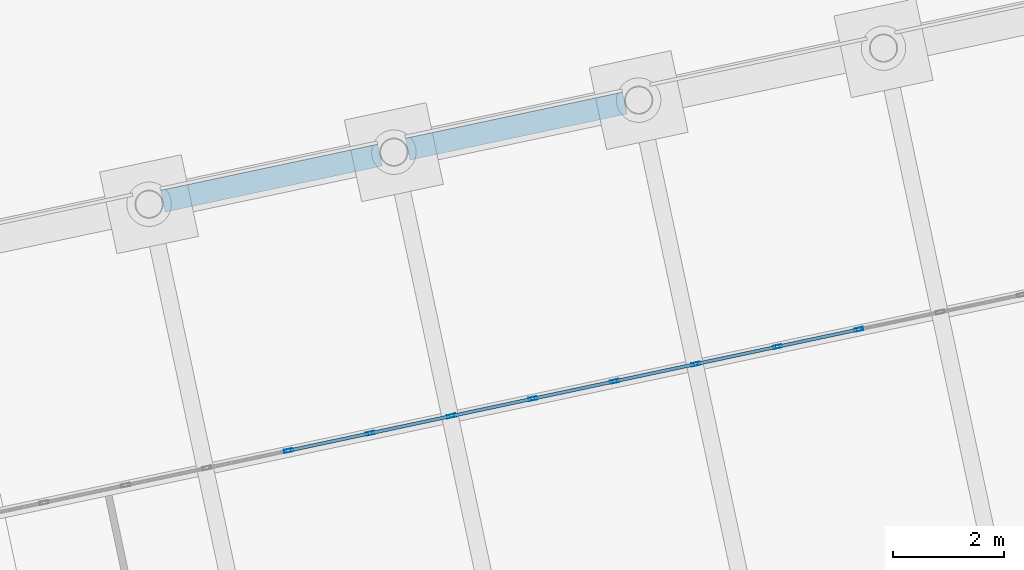
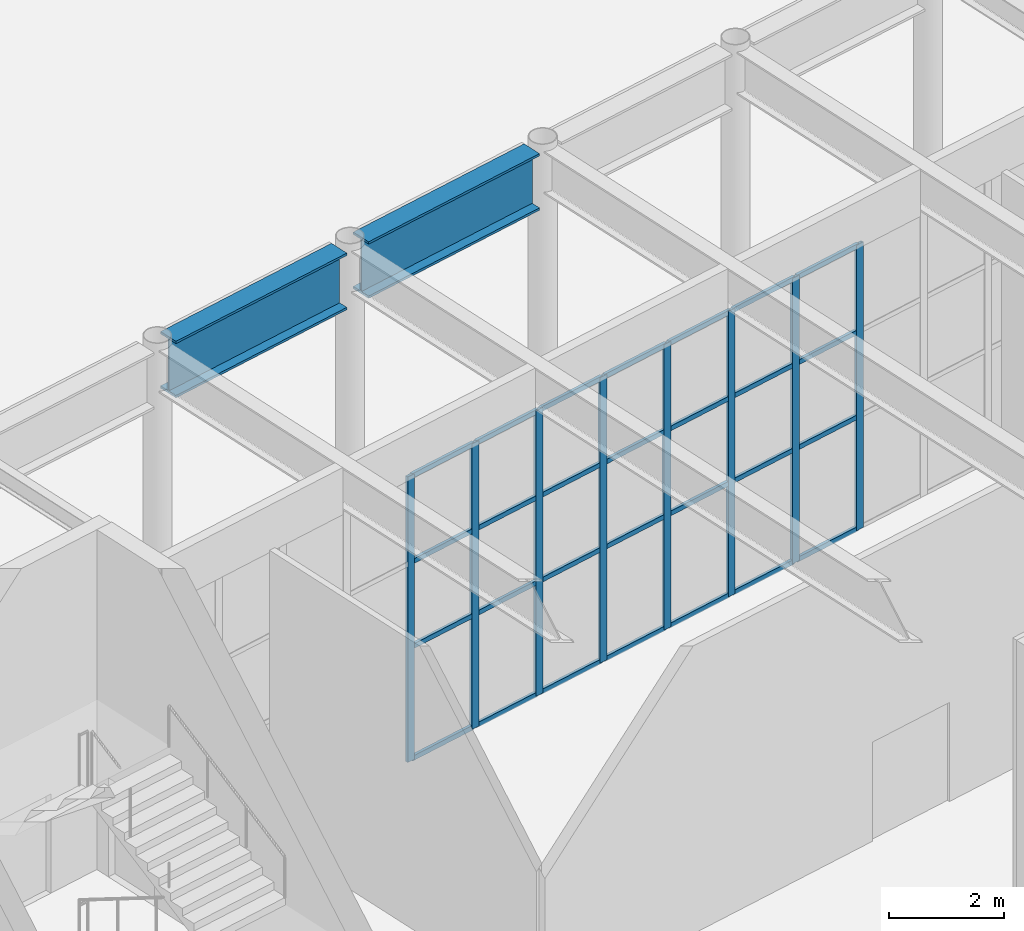
# One storey, part 73 of 239: 36 members, 2 beams, 1 element without a shape of its own.
"""IFC4 building model written with IfcOpenShell, lengths in metres."""

import ifcopenshell
import ifcopenshell.guid

model = None  # the IFC model being written
_history = None  # IfcOwnerHistory: only IFC2X3 demands one
_inside = {}  # id of a spatial element -> (the spatial element, [elements in it])
_under = {}  # id of a project, library or spatial element -> (it, [spatial elements below it])
_declared = {}  # id of a project -> (the project, [libraries it declares])
_typed = {}  # id of a type object -> (the type object, [elements of that type])
_made_of = {}  # id of a material, layer set ... -> (it, [elements and type objects made of it])


def new_model(schema):
    """Start an empty IFC model of exactly this schema.

    Asked for "IFC4X3", IfcOpenShell would pick the latest addendum, in which some entities
    have other attributes; the version numbers below select the first issue.
    IFC2X3 requires an IfcOwnerHistory on every rooted entity: one is made here for all.
    """
    global model, _history
    if schema == "IFC4X3":
        model = ifcopenshell.file(schema_version=(4, 3, 0, 0))
    else:
        model = ifcopenshell.file(schema=schema)
    _inside.clear()
    _under.clear()
    _declared.clear()
    _typed.clear()
    _made_of.clear()
    _history = None
    if model.schema == "IFC2X3":
        org = make("IfcOrganization", Name="unknown")
        user = make(
            "IfcPersonAndOrganization",
            ThePerson=make("IfcPerson", FamilyName="unknown"),
            TheOrganization=org,
        )
        app = make(
            "IfcApplication",
            ApplicationDeveloper=org,
            Version="unknown",
            ApplicationFullName="unknown",
            ApplicationIdentifier="unknown",
        )
        _history = make(
            "IfcOwnerHistory",
            OwningUser=user,
            OwningApplication=app,
            ChangeAction="ADDED",
            CreationDate=0,
        )
    return model


def make(cls, **values):
    """One entity of the class cls with the attributes given. An attribute that is None is left unset."""
    return model.create_entity(
        cls, **{name: value for name, value in values.items() if value is not None}
    )


def rooted(cls, **values):
    """An entity with a GlobalId (a new one), such as an element, a storey or a relation."""
    return make(cls, GlobalId=ifcopenshell.guid.new(), OwnerHistory=_history, **values)


def si_unit(unit_type, name, prefix=None):
    """IfcSIUnit, for example si_unit("LENGTHUNIT", "METRE", prefix="MILLI")."""
    return make("IfcSIUnit", UnitType=unit_type, Prefix=prefix, Name=name)


def assignment(units):
    """IfcUnitAssignment: the units of a project."""
    return None if units is None else make("IfcUnitAssignment", Units=units)


def point(xyz):
    """IfcCartesianPoint."""
    return None if xyz is None else make("IfcCartesianPoint", Coordinates=xyz)


def direction(xyz):
    """IfcDirection."""
    return None if xyz is None else make("IfcDirection", DirectionRatios=xyz)


def frame(location, z_axis=None, x_axis=None):
    """IfcAxis2Placement3D, a coordinate frame: its origin and axes. An axis left out is left unset."""
    return make(
        "IfcAxis2Placement3D",
        Location=point(location),
        Axis=direction(z_axis),
        RefDirection=direction(x_axis),
    )


def frame_2d(location, x_axis=None):
    """IfcAxis2Placement2D, a coordinate frame in the plane: its origin and x axis."""
    return make(
        "IfcAxis2Placement2D", Location=point(location), RefDirection=direction(x_axis)
    )


def origin():
    """The frame at (0, 0, 0) with its axes left unset."""
    return frame((0.0, 0.0, 0.0))


def origin_2d():
    """The frame at (0, 0) in the plane with its x axis left unset."""
    return frame_2d((0.0, 0.0))


def place(relative_to, where):
    """IfcLocalPlacement: puts the frame where relative to a parent placement (None: the world)."""
    return make(
        "IfcLocalPlacement", PlacementRelTo=relative_to, RelativePlacement=where
    )


def context(
    kind, dimensions, precision=None, world=None, true_north=None, identifier=None
):
    """IfcGeometricRepresentationContext, for example the 3D "Model" context."""
    return make(
        "IfcGeometricRepresentationContext",
        ContextIdentifier=identifier,
        ContextType=kind,
        CoordinateSpaceDimension=dimensions,
        Precision=precision,
        WorldCoordinateSystem=world,
        TrueNorth=true_north,
    )


def subcontext(parent, identifier, kind, view, scale=None):
    """IfcGeometricRepresentationSubContext, for example "Body" below "Model"."""
    return make(
        "IfcGeometricRepresentationSubContext",
        ContextIdentifier=identifier,
        ContextType=kind,
        ParentContext=parent,
        TargetScale=scale,
        TargetView=view,
    )


def project(units=None, contexts=None):
    """IfcProject with its units and contexts."""
    return rooted(
        "IfcProject",
        Name="project",
        RepresentationContexts=contexts,
        UnitsInContext=assignment(units),
    )


def spatial(cls, under=None, at=None, **own):
    """A site, building, storey or space (cls), placed at a placement, below another one or the project."""
    s = rooted(cls, ObjectPlacement=at, **own)
    if under is not None:
        _under.setdefault(under.id(), (under, []))[1].append(s)
    return s


def profile(cls, at=None, kind="AREA", **sizes):
    """A parametric profile (cls). Its sizes go by their IFC names, for example OverallWidth=200.0."""
    return make(cls, ProfileType=kind, Position=at, **sizes)


def hollow_rectangle(**sizes):
    """IfcRectangleHollowProfileDef."""
    return profile("IfcRectangleHollowProfileDef", **sizes)


def i_section(**sizes):
    """IfcIShapeProfileDef."""
    return profile("IfcIShapeProfileDef", **sizes)


def extrude(swept, where, along, depth):
    """IfcExtrudedAreaSolid: the profile swept, set in the frame where, extruded along a direction by depth."""
    return make(
        "IfcExtrudedAreaSolid",
        SweptArea=swept,
        Position=where,
        ExtrudedDirection=direction(along),
        Depth=depth,
    )


def shape(context_of_items, identifier, shape_type, items):
    """IfcShapeRepresentation: the items that make up one representation, for example the "Body"."""
    return make(
        "IfcShapeRepresentation",
        ContextOfItems=context_of_items,
        RepresentationIdentifier=identifier,
        RepresentationType=shape_type,
        Items=items,
    )


def material(Name=None, Category=None):
    """IfcMaterial."""
    return make("IfcMaterial", Name=Name, Category=Category)


def material_profile(
    of_material, cross_section, Name=None, Category=None, Priority=None
):
    """IfcMaterialProfile: a cross section and its material."""
    return make(
        "IfcMaterialProfile",
        Name=Name,
        Material=of_material,
        Profile=cross_section,
        Priority=Priority,
        Category=Category,
    )


def profile_set(profiles, Name=None, composite=None):
    """IfcMaterialProfileSet."""
    return make(
        "IfcMaterialProfileSet",
        Name=Name,
        MaterialProfiles=profiles,
        CompositeProfile=composite,
    )


def made_of(thing, what):
    """Note that an element or type object is made of a material, layer set ...; save() writes the relation."""
    if what is not None:
        _made_of.setdefault(what.id(), (what, []))[1].append(thing)
    return thing


def type_object(cls, material=None, **own):
    """A type object (cls), such as IfcWallType, which elements share."""
    return made_of(rooted(cls, **own), material)


def element(
    cls,
    number,
    at=None,
    inside=None,
    cuts=None,
    type_object=None,
    material=None,
    context=None,
    identifier="Body",
    shape_type=None,
    held_by="IfcProductDefinitionShape",
    body=None,
    shapes=None,
    **own,
):
    """One element of the class cls, such as IfcWall. Its Tag is "e" and its number.

    at: its placement. inside: the storey or other place that contains it. cuts: it is an
    opening in that element (IfcRelVoidsElement). A single representation is given by context,
    identifier, shape_type and body (its items); several are given by shapes. held_by: the class
    of the entity that holds the representations. save() writes the other relations.
    """
    e = rooted(cls, Tag="e%d" % number, ObjectPlacement=at, **own)
    if body is not None:
        shapes = [shape(context, identifier, shape_type, body)]
    if shapes is not None:
        e.Representation = make(held_by, Representations=shapes)
    if inside is not None:
        _inside.setdefault(inside.id(), (inside, []))[1].append(e)
    if cuts is not None:
        rooted(
            "IfcRelVoidsElement", RelatingBuildingElement=cuts, RelatedOpeningElement=e
        )
    if type_object is not None:
        _typed.setdefault(type_object.id(), (type_object, []))[1].append(e)
    return made_of(e, material)


def aggregate(whole, parts):
    """IfcRelAggregates: a whole, such as a stair, and the parts it consists of."""
    return rooted("IfcRelAggregates", RelatingObject=whole, RelatedObjects=parts)


def save(model, path):
    """Write the relations noted so far, then the file.

    IfcRelAggregates (storeys below a building ...), IfcRelContainedInSpatialStructure (elements
    in a storey), IfcRelDefinesByType, IfcRelAssociatesMaterial and IfcRelDeclares: one each for
    every whole, place, type object, material and project.
    """
    for whole, parts in _under.values():
        aggregate(whole, parts)
    for where, things in _inside.values():
        rooted(
            "IfcRelContainedInSpatialStructure",
            RelatedElements=things,
            RelatingStructure=where,
        )
    for kind, things in _typed.values():
        rooted("IfcRelDefinesByType", RelatedObjects=things, RelatingType=kind)
    for what, things in _made_of.values():
        rooted("IfcRelAssociatesMaterial", RelatedObjects=things, RelatingMaterial=what)
    for by, libraries in _declared.values():
        rooted("IfcRelDeclares", RelatingContext=by, RelatedDefinitions=libraries)
    model.write(path)


model = new_model("IFC4")

# Units and contexts
model_context = context("Model", 3, precision=1e-05, world=origin(), true_north=direction((0.0, 1.0)))
body_context = subcontext(model_context, "Body", "Model", "MODEL_VIEW")
ifc_project = project(units=[si_unit("LENGTHUNIT", "METRE"), si_unit("AREAUNIT", "SQUARE_METRE"), si_unit("VOLUMEUNIT", "CUBIC_METRE"), si_unit("PLANEANGLEUNIT", "RADIAN"), si_unit("MASSUNIT", "GRAM", prefix="KILO")], contexts=[model_context])

# Site, building, storey
site_placement = place(None, origin())
site = spatial("IfcSite", under=ifc_project, at=site_placement, CompositionType="ELEMENT")
building_placement = place(site_placement, origin())
building = spatial("IfcBuilding", under=site, at=building_placement, Name="Okhra Congress Centre", CompositionType="ELEMENT")
storey_placement = place(building_placement, origin())
storey = spatial("IfcBuildingStorey", under=building, at=storey_placement, Name="L00", CompositionType="ELEMENT", Elevation=0.0)

# Curtain wall, members
ifc_material_1 = material(Name="Aluminium curtain wall, triple glazing", Category="aluminium")
curtain_wall_type = type_object("IfcCurtainWallType", Name="Curtain wall 1500 module", PredefinedType="NOTDEFINED", material=ifc_material_1)
curtain_wall_placement = place(storey_placement, origin())
curtain_wall = element("IfcCurtainWall", 1, at=curtain_wall_placement, inside=storey, type_object=curtain_wall_type, Name="Ground curtain wall N8", PredefinedType="NOTDEFINED")
ifc_material_2 = material(Name="Aluminium alloy EN AW-6063 T66", Category="aluminium")
ifc_material_profile_1 = material_profile(ifc_material_2, hollow_rectangle(XDim=0.06005859375, YDim=0.159912109375, WallThickness=0.00390625, at=origin_2d()), Name="RHS 60x160x4")
ifc_profile_set_1 = profile_set([ifc_material_profile_1], Name="Aluminium alloy EN AW-6063 T66")
member_type_1 = type_object("IfcMemberType", Name="Curtain wall mullion 60x160", PredefinedType="MULLION", material=ifc_profile_set_1)
member_1_placement = place(storey_placement, frame((115.748779296875, 58.016845703125, 0.0), z_axis=(0.0, 0.0, 1.0), x_axis=(-0.207911690818, 0.978147600734, 0.0)))
member_1 = element("IfcMember", 2, at=member_1_placement, type_object=member_type_1, Name="CW7 mullion 5", PredefinedType="MULLION", context=body_context, shape_type="SweptSolid", body=[
    extrude(hollow_rectangle(XDim=0.06005859375, YDim=0.159912109375, WallThickness=0.00390625, at=origin_2d()), origin(), (0.0, 0.0, 1.0), 6.050048828125),
])
member_2_placement = place(storey_placement, frame((117.21337890625, 58.328125, 0.0), z_axis=(0.0, 0.0, 1.0), x_axis=(-0.207911690818, 0.978147600734, 0.0)))
member_2 = element("IfcMember", 3, at=member_2_placement, type_object=member_type_1, Name="CW7 mullion 6", PredefinedType="MULLION", context=body_context, shape_type="SweptSolid", body=[
    extrude(hollow_rectangle(XDim=0.06005859375, YDim=0.159912109375, WallThickness=0.00390625, at=origin_2d()), origin(), (0.0, 0.0, 1.0), 6.050048828125),
])
member_3_placement = place(storey_placement, frame((118.67822265625, 58.639404296875, 0.0), z_axis=(0.0, 0.0, 1.0), x_axis=(-0.207911690818, 0.978147600734, 0.0)))
member_3 = element("IfcMember", 4, at=member_3_placement, type_object=member_type_1, Name="CW7 mullion 7", PredefinedType="MULLION", context=body_context, shape_type="SweptSolid", body=[
    extrude(hollow_rectangle(XDim=0.06005859375, YDim=0.159912109375, WallThickness=0.00390625, at=origin_2d()), origin(), (0.0, 0.0, 1.0), 6.050048828125),
])
member_4_placement = place(storey_placement, frame((120.14306640625, 58.950927734375, 0.0), z_axis=(0.0, 0.0, 1.0), x_axis=(-0.207911690818, 0.978147600734, 0.0)))
member_4 = element("IfcMember", 5, at=member_4_placement, type_object=member_type_1, Name="CW7 mullion 8", PredefinedType="MULLION", context=body_context, shape_type="SweptSolid", body=[
    extrude(hollow_rectangle(XDim=0.06005859375, YDim=0.159912109375, WallThickness=0.00390625, at=origin_2d()), origin(), (0.0, 0.0, 1.0), 6.050048828125),
])
member_5_placement = place(storey_placement, frame((121.60791015625, 59.26220703125, 0.0), z_axis=(0.0, 0.0, 1.0), x_axis=(-0.207911690818, 0.978147600734, 0.0)))
member_5 = element("IfcMember", 6, at=member_5_placement, type_object=member_type_1, Name="CW7 mullion 9", PredefinedType="MULLION", context=body_context, shape_type="SweptSolid", body=[
    extrude(hollow_rectangle(XDim=0.06005859375, YDim=0.159912109375, WallThickness=0.00390625, at=origin_2d()), origin(), (0.0, 0.0, 1.0), 6.050048828125),
])
member_6_placement = place(storey_placement, frame((123.072509765625, 59.573486328125, 0.0), z_axis=(0.0, 0.0, 1.0), x_axis=(-0.207911690818, 0.978147600734, 0.0)))
member_6 = element("IfcMember", 7, at=member_6_placement, type_object=member_type_1, Name="CW7 mullion 10", PredefinedType="MULLION", context=body_context, shape_type="SweptSolid", body=[
    extrude(hollow_rectangle(XDim=0.06005859375, YDim=0.159912109375, WallThickness=0.00390625, at=origin_2d()), origin(), (0.0, 0.0, 1.0), 6.050048828125),
])
member_7_placement = place(storey_placement, frame((124.537353515625, 59.885009765625, 0.0), z_axis=(0.0, 0.0, 1.0), x_axis=(-0.207911690818, 0.978147600734, 0.0)))
member_7 = element("IfcMember", 8, at=member_7_placement, type_object=member_type_1, Name="CW7 mullion 11", PredefinedType="MULLION", context=body_context, shape_type="SweptSolid", body=[
    extrude(hollow_rectangle(XDim=0.06005859375, YDim=0.159912109375, WallThickness=0.00390625, at=origin_2d()), origin(), (0.0, 0.0, 1.0), 6.050048828125),
])
member_8_placement = place(storey_placement, frame((126.002197265625, 60.1962890625, 0.0), z_axis=(0.0, 0.0, 1.0), x_axis=(-0.207911690818, 0.978147600734, 0.0)))
member_8 = element("IfcMember", 9, at=member_8_placement, type_object=member_type_1, Name="CW7 mullion 12", PredefinedType="MULLION", context=body_context, shape_type="SweptSolid", body=[
    extrude(hollow_rectangle(XDim=0.06005859375, YDim=0.159912109375, WallThickness=0.00390625, at=origin_2d()), origin(), (0.0, 0.0, 1.0), 6.050048828125),
])
ifc_material_profile_2 = material_profile(ifc_material_2, hollow_rectangle(XDim=0.06005859375, YDim=0.10009765625, WallThickness=0.00390625, at=origin_2d()), Name="RHS 60x100x4")
ifc_profile_set_2 = profile_set([ifc_material_profile_2], Name="Aluminium alloy EN AW-6063 T66")
member_type_2 = type_object("IfcMemberType", Name="Curtain wall transom 60x100", PredefinedType="USERDEFINED", material=ifc_profile_set_2)
member_9_placement = place(storey_placement, frame((115.778076171875, 58.02294921875, 0.030029296875), z_axis=(0.978116961053, 0.208055786992, 0.0), x_axis=(-0.208055786992, 0.978116961053, 0.0)))
member_9 = element("IfcMember", 10, at=member_9_placement, type_object=member_type_2, Name="CW7 transom 5.1", ObjectType="TRANSOM", PredefinedType="USERDEFINED", context=body_context, shape_type="SweptSolid", body=[
    extrude(hollow_rectangle(XDim=0.06005859375, YDim=0.10009765625, WallThickness=0.00390625, at=origin_2d()), origin(), (0.0, 0.0, 1.0), 1.4375),
])
member_10_placement = place(storey_placement, frame((115.778076171875, 58.02294921875, 2.39990234375), z_axis=(0.978116961053, 0.208055786992, 0.0), x_axis=(-0.208055786992, 0.978116961053, 0.0)))
member_10 = element("IfcMember", 11, at=member_10_placement, type_object=member_type_2, Name="CW7 transom 5.2", ObjectType="TRANSOM", PredefinedType="USERDEFINED", context=body_context, shape_type="SweptSolid", body=[
    extrude(hollow_rectangle(XDim=0.06005859375, YDim=0.10009765625, WallThickness=0.00390625, at=origin_2d()), origin(), (0.0, 0.0, 1.0), 1.4375),
])
member_11_placement = place(storey_placement, frame((115.778076171875, 58.02294921875, 4.199951171875), z_axis=(0.978116961053, 0.208055786992, 0.0), x_axis=(-0.208055786992, 0.978116961053, 0.0)))
member_11 = element("IfcMember", 12, at=member_11_placement, type_object=member_type_2, Name="CW7 transom 5.3", ObjectType="TRANSOM", PredefinedType="USERDEFINED", context=body_context, shape_type="SweptSolid", body=[
    extrude(hollow_rectangle(XDim=0.06005859375, YDim=0.10009765625, WallThickness=0.00390625, at=origin_2d()), origin(), (0.0, 0.0, 1.0), 1.4375),
])
member_12_placement = place(storey_placement, frame((115.778076171875, 58.02294921875, 6.02001953125), z_axis=(0.978116961053, 0.208055786992, 0.0), x_axis=(-0.208055786992, 0.978116961053, 0.0)))
member_12 = element("IfcMember", 13, at=member_12_placement, type_object=member_type_2, Name="CW7 transom 5.4", ObjectType="TRANSOM", PredefinedType="USERDEFINED", context=body_context, shape_type="SweptSolid", body=[
    extrude(hollow_rectangle(XDim=0.06005859375, YDim=0.10009765625, WallThickness=0.00390625, at=origin_2d()), origin(), (0.0, 0.0, 1.0), 1.4375),
])
member_13_placement = place(storey_placement, frame((117.242919921875, 58.33447265625, 0.030029296875), z_axis=(0.978151512004, 0.207893288886, 0.0), x_axis=(-0.207893288886, 0.978151512004, 0.0)))
member_13 = element("IfcMember", 14, at=member_13_placement, type_object=member_type_2, Name="CW7 transom 6.1", ObjectType="TRANSOM", PredefinedType="USERDEFINED", context=body_context, shape_type="SweptSolid", body=[
    extrude(hollow_rectangle(XDim=0.06005859375, YDim=0.10009765625, WallThickness=0.00390625, at=origin_2d()), origin(), (0.0, 0.0, 1.0), 1.4375),
])
member_14_placement = place(storey_placement, frame((117.242919921875, 58.33447265625, 2.39990234375), z_axis=(0.978151512004, 0.207893288886, 0.0), x_axis=(-0.207893288886, 0.978151512004, 0.0)))
member_14 = element("IfcMember", 15, at=member_14_placement, type_object=member_type_2, Name="CW7 transom 6.2", ObjectType="TRANSOM", PredefinedType="USERDEFINED", context=body_context, shape_type="SweptSolid", body=[
    extrude(hollow_rectangle(XDim=0.06005859375, YDim=0.10009765625, WallThickness=0.00390625, at=origin_2d()), origin(), (0.0, 0.0, 1.0), 1.4375),
])
member_15_placement = place(storey_placement, frame((117.242919921875, 58.33447265625, 4.199951171875), z_axis=(0.978151512004, 0.207893288886, 0.0), x_axis=(-0.207893288886, 0.978151512004, 0.0)))
member_15 = element("IfcMember", 16, at=member_15_placement, type_object=member_type_2, Name="CW7 transom 6.3", ObjectType="TRANSOM", PredefinedType="USERDEFINED", context=body_context, shape_type="SweptSolid", body=[
    extrude(hollow_rectangle(XDim=0.06005859375, YDim=0.10009765625, WallThickness=0.00390625, at=origin_2d()), origin(), (0.0, 0.0, 1.0), 1.4375),
])
member_16_placement = place(storey_placement, frame((117.242919921875, 58.33447265625, 6.02001953125), z_axis=(0.978151512004, 0.207893288886, 0.0), x_axis=(-0.207893288886, 0.978151512004, 0.0)))
member_16 = element("IfcMember", 17, at=member_16_placement, type_object=member_type_2, Name="CW7 transom 6.4", ObjectType="TRANSOM", PredefinedType="USERDEFINED", context=body_context, shape_type="SweptSolid", body=[
    extrude(hollow_rectangle(XDim=0.06005859375, YDim=0.10009765625, WallThickness=0.00390625, at=origin_2d()), origin(), (0.0, 0.0, 1.0), 1.4375),
])
member_17_placement = place(storey_placement, frame((118.70751953125, 58.645751953125, 0.030029296875), z_axis=(0.978158850918, 0.20785875582, 0.0), x_axis=(-0.20785875582, 0.978158850918, 0.0)))
member_17 = element("IfcMember", 18, at=member_17_placement, type_object=member_type_2, Name="CW7 transom 7.1", ObjectType="TRANSOM", PredefinedType="USERDEFINED", context=body_context, shape_type="SweptSolid", body=[
    extrude(hollow_rectangle(XDim=0.06005859375, YDim=0.10009765625, WallThickness=0.00390625, at=origin_2d()), origin(), (0.0, 0.0, 1.0), 1.437744140625),
])
member_18_placement = place(storey_placement, frame((118.70751953125, 58.645751953125, 2.39990234375), z_axis=(0.978158850918, 0.20785875582, 0.0), x_axis=(-0.20785875582, 0.978158850918, 0.0)))
member_18 = element("IfcMember", 19, at=member_18_placement, type_object=member_type_2, Name="CW7 transom 7.2", ObjectType="TRANSOM", PredefinedType="USERDEFINED", context=body_context, shape_type="SweptSolid", body=[
    extrude(hollow_rectangle(XDim=0.06005859375, YDim=0.10009765625, WallThickness=0.00390625, at=origin_2d()), origin(), (0.0, 0.0, 1.0), 1.437744140625),
])
member_19_placement = place(storey_placement, frame((118.70751953125, 58.645751953125, 4.199951171875), z_axis=(0.978158850918, 0.20785875582, 0.0), x_axis=(-0.20785875582, 0.978158850918, 0.0)))
member_19 = element("IfcMember", 20, at=member_19_placement, type_object=member_type_2, Name="CW7 transom 7.3", ObjectType="TRANSOM", PredefinedType="USERDEFINED", context=body_context, shape_type="SweptSolid", body=[
    extrude(hollow_rectangle(XDim=0.06005859375, YDim=0.10009765625, WallThickness=0.00390625, at=origin_2d()), origin(), (0.0, 0.0, 1.0), 1.437744140625),
])
member_20_placement = place(storey_placement, frame((118.70751953125, 58.645751953125, 6.02001953125), z_axis=(0.978158850918, 0.20785875582, 0.0), x_axis=(-0.20785875582, 0.978158850918, 0.0)))
member_20 = element("IfcMember", 21, at=member_20_placement, type_object=member_type_2, Name="CW7 transom 7.4", ObjectType="TRANSOM", PredefinedType="USERDEFINED", context=body_context, shape_type="SweptSolid", body=[
    extrude(hollow_rectangle(XDim=0.06005859375, YDim=0.10009765625, WallThickness=0.00390625, at=origin_2d()), origin(), (0.0, 0.0, 1.0), 1.437744140625),
])
member_21_placement = place(storey_placement, frame((120.17236328125, 58.95703125, 0.030029296875), z_axis=(0.978151512004, 0.207893288886, 0.0), x_axis=(-0.207893288886, 0.978151512004, 0.0)))
member_21 = element("IfcMember", 22, at=member_21_placement, type_object=member_type_2, Name="CW7 transom 8.1", ObjectType="TRANSOM", PredefinedType="USERDEFINED", context=body_context, shape_type="SweptSolid", body=[
    extrude(hollow_rectangle(XDim=0.06005859375, YDim=0.10009765625, WallThickness=0.00390625, at=origin_2d()), origin(), (0.0, 0.0, 1.0), 1.4375),
])
member_22_placement = place(storey_placement, frame((120.17236328125, 58.95703125, 2.39990234375), z_axis=(0.978151512004, 0.207893288886, 0.0), x_axis=(-0.207893288886, 0.978151512004, 0.0)))
member_22 = element("IfcMember", 23, at=member_22_placement, type_object=member_type_2, Name="CW7 transom 8.2", ObjectType="TRANSOM", PredefinedType="USERDEFINED", context=body_context, shape_type="SweptSolid", body=[
    extrude(hollow_rectangle(XDim=0.06005859375, YDim=0.10009765625, WallThickness=0.00390625, at=origin_2d()), origin(), (0.0, 0.0, 1.0), 1.4375),
])
member_23_placement = place(storey_placement, frame((120.17236328125, 58.95703125, 4.199951171875), z_axis=(0.978151512004, 0.207893288886, 0.0), x_axis=(-0.207893288886, 0.978151512004, 0.0)))
member_23 = element("IfcMember", 24, at=member_23_placement, type_object=member_type_2, Name="CW7 transom 8.3", ObjectType="TRANSOM", PredefinedType="USERDEFINED", context=body_context, shape_type="SweptSolid", body=[
    extrude(hollow_rectangle(XDim=0.06005859375, YDim=0.10009765625, WallThickness=0.00390625, at=origin_2d()), origin(), (0.0, 0.0, 1.0), 1.4375),
])
member_24_placement = place(storey_placement, frame((120.17236328125, 58.95703125, 6.02001953125), z_axis=(0.978151512004, 0.207893288886, 0.0), x_axis=(-0.207893288886, 0.978151512004, 0.0)))
member_24 = element("IfcMember", 25, at=member_24_placement, type_object=member_type_2, Name="CW7 transom 8.4", ObjectType="TRANSOM", PredefinedType="USERDEFINED", context=body_context, shape_type="SweptSolid", body=[
    extrude(hollow_rectangle(XDim=0.06005859375, YDim=0.10009765625, WallThickness=0.00390625, at=origin_2d()), origin(), (0.0, 0.0, 1.0), 1.4375),
])
member_25_placement = place(storey_placement, frame((121.63720703125, 59.2685546875, 0.030029296875), z_axis=(0.978151512004, 0.207893288886, 0.0), x_axis=(-0.207893288886, 0.978151512004, 0.0)))
member_25 = element("IfcMember", 26, at=member_25_placement, type_object=member_type_2, Name="CW7 transom 9.1", ObjectType="TRANSOM", PredefinedType="USERDEFINED", context=body_context, shape_type="SweptSolid", body=[
    extrude(hollow_rectangle(XDim=0.06005859375, YDim=0.10009765625, WallThickness=0.00390625, at=origin_2d()), origin(), (0.0, 0.0, 1.0), 1.4375),
])
member_26_placement = place(storey_placement, frame((121.63720703125, 59.2685546875, 2.39990234375), z_axis=(0.978151512004, 0.207893288886, 0.0), x_axis=(-0.207893288886, 0.978151512004, 0.0)))
member_26 = element("IfcMember", 27, at=member_26_placement, type_object=member_type_2, Name="CW7 transom 9.2", ObjectType="TRANSOM", PredefinedType="USERDEFINED", context=body_context, shape_type="SweptSolid", body=[
    extrude(hollow_rectangle(XDim=0.06005859375, YDim=0.10009765625, WallThickness=0.00390625, at=origin_2d()), origin(), (0.0, 0.0, 1.0), 1.4375),
])
member_27_placement = place(storey_placement, frame((121.63720703125, 59.2685546875, 4.199951171875), z_axis=(0.978151512004, 0.207893288886, 0.0), x_axis=(-0.207893288886, 0.978151512004, 0.0)))
member_27 = element("IfcMember", 28, at=member_27_placement, type_object=member_type_2, Name="CW7 transom 9.3", ObjectType="TRANSOM", PredefinedType="USERDEFINED", context=body_context, shape_type="SweptSolid", body=[
    extrude(hollow_rectangle(XDim=0.06005859375, YDim=0.10009765625, WallThickness=0.00390625, at=origin_2d()), origin(), (0.0, 0.0, 1.0), 1.4375),
])
member_28_placement = place(storey_placement, frame((121.63720703125, 59.2685546875, 6.02001953125), z_axis=(0.978151512004, 0.207893288886, 0.0), x_axis=(-0.207893288886, 0.978151512004, 0.0)))
member_28 = element("IfcMember", 29, at=member_28_placement, type_object=member_type_2, Name="CW7 transom 9.4", ObjectType="TRANSOM", PredefinedType="USERDEFINED", context=body_context, shape_type="SweptSolid", body=[
    extrude(hollow_rectangle(XDim=0.06005859375, YDim=0.10009765625, WallThickness=0.00390625, at=origin_2d()), origin(), (0.0, 0.0, 1.0), 1.4375),
])
member_29_placement = place(storey_placement, frame((123.10205078125, 59.579833984375, 0.030029296875), z_axis=(0.978151512004, 0.207893288886, 0.0), x_axis=(-0.207893288886, 0.978151512004, 0.0)))
member_29 = element("IfcMember", 30, at=member_29_placement, type_object=member_type_2, Name="CW7 transom 10.1", ObjectType="TRANSOM", PredefinedType="USERDEFINED", context=body_context, shape_type="SweptSolid", body=[
    extrude(hollow_rectangle(XDim=0.06005859375, YDim=0.10009765625, WallThickness=0.00390625, at=origin_2d()), origin(), (0.0, 0.0, 1.0), 1.4375),
])
member_30_placement = place(storey_placement, frame((123.10205078125, 59.579833984375, 2.39990234375), z_axis=(0.978151512004, 0.207893288886, 0.0), x_axis=(-0.207893288886, 0.978151512004, 0.0)))
member_30 = element("IfcMember", 31, at=member_30_placement, type_object=member_type_2, Name="CW7 transom 10.2", ObjectType="TRANSOM", PredefinedType="USERDEFINED", context=body_context, shape_type="SweptSolid", body=[
    extrude(hollow_rectangle(XDim=0.06005859375, YDim=0.10009765625, WallThickness=0.00390625, at=origin_2d()), origin(), (0.0, 0.0, 1.0), 1.4375),
])
member_31_placement = place(storey_placement, frame((123.10205078125, 59.579833984375, 4.199951171875), z_axis=(0.978151512004, 0.207893288886, 0.0), x_axis=(-0.207893288886, 0.978151512004, 0.0)))
member_31 = element("IfcMember", 32, at=member_31_placement, type_object=member_type_2, Name="CW7 transom 10.3", ObjectType="TRANSOM", PredefinedType="USERDEFINED", context=body_context, shape_type="SweptSolid", body=[
    extrude(hollow_rectangle(XDim=0.06005859375, YDim=0.10009765625, WallThickness=0.00390625, at=origin_2d()), origin(), (0.0, 0.0, 1.0), 1.4375),
])
member_32_placement = place(storey_placement, frame((123.10205078125, 59.579833984375, 6.02001953125), z_axis=(0.978151512004, 0.207893288886, 0.0), x_axis=(-0.207893288886, 0.978151512004, 0.0)))
member_32 = element("IfcMember", 33, at=member_32_placement, type_object=member_type_2, Name="CW7 transom 10.4", ObjectType="TRANSOM", PredefinedType="USERDEFINED", context=body_context, shape_type="SweptSolid", body=[
    extrude(hollow_rectangle(XDim=0.06005859375, YDim=0.10009765625, WallThickness=0.00390625, at=origin_2d()), origin(), (0.0, 0.0, 1.0), 1.4375),
])
member_33_placement = place(storey_placement, frame((124.566650390625, 59.89111328125, 0.030029296875), z_axis=(0.978158850918, 0.20785875582, 0.0), x_axis=(-0.20785875582, 0.978158850918, 0.0)))
member_33 = element("IfcMember", 34, at=member_33_placement, type_object=member_type_2, Name="CW7 transom 11.1", ObjectType="TRANSOM", PredefinedType="USERDEFINED", context=body_context, shape_type="SweptSolid", body=[
    extrude(hollow_rectangle(XDim=0.06005859375, YDim=0.10009765625, WallThickness=0.00390625, at=origin_2d()), origin(), (0.0, 0.0, 1.0), 1.437744140625),
])
member_34_placement = place(storey_placement, frame((124.566650390625, 59.89111328125, 2.39990234375), z_axis=(0.978158850918, 0.20785875582, 0.0), x_axis=(-0.20785875582, 0.978158850918, 0.0)))
member_34 = element("IfcMember", 35, at=member_34_placement, type_object=member_type_2, Name="CW7 transom 11.2", ObjectType="TRANSOM", PredefinedType="USERDEFINED", context=body_context, shape_type="SweptSolid", body=[
    extrude(hollow_rectangle(XDim=0.06005859375, YDim=0.10009765625, WallThickness=0.00390625, at=origin_2d()), origin(), (0.0, 0.0, 1.0), 1.437744140625),
])
member_35_placement = place(storey_placement, frame((124.566650390625, 59.89111328125, 4.199951171875), z_axis=(0.978158850918, 0.20785875582, 0.0), x_axis=(-0.20785875582, 0.978158850918, 0.0)))
member_35 = element("IfcMember", 36, at=member_35_placement, type_object=member_type_2, Name="CW7 transom 11.3", ObjectType="TRANSOM", PredefinedType="USERDEFINED", context=body_context, shape_type="SweptSolid", body=[
    extrude(hollow_rectangle(XDim=0.06005859375, YDim=0.10009765625, WallThickness=0.00390625, at=origin_2d()), origin(), (0.0, 0.0, 1.0), 1.437744140625),
])
member_36_placement = place(storey_placement, frame((124.566650390625, 59.89111328125, 6.02001953125), z_axis=(0.978158850918, 0.20785875582, 0.0), x_axis=(-0.20785875582, 0.978158850918, 0.0)))
member_36 = element("IfcMember", 37, at=member_36_placement, type_object=member_type_2, Name="CW7 transom 11.4", ObjectType="TRANSOM", PredefinedType="USERDEFINED", context=body_context, shape_type="SweptSolid", body=[
    extrude(hollow_rectangle(XDim=0.06005859375, YDim=0.10009765625, WallThickness=0.00390625, at=origin_2d()), origin(), (0.0, 0.0, 1.0), 1.437744140625),
])
aggregate(curtain_wall, [member_1, member_2, member_3, member_4, member_5, member_6, member_7, member_8, member_9, member_10, member_11, member_12, member_13, member_14, member_15, member_16, member_17, member_18, member_19, member_20, member_21, member_22, member_23, member_24, member_25, member_26, member_27, member_28, member_29, member_30, member_31, member_32, member_33, member_34, member_35, member_36])

# Beams
ifc_material_3 = material(Name="Steel S355J2", Category="steel")
ifc_material_profile_3 = material_profile(ifc_material_3, i_section(OverallWidth=0.39990234375, OverallDepth=1.199951171875, WebThickness=0.02490234375, FlangeThickness=0.050048828125, at=origin_2d()), Name="Plate girder 1200x400")
ifc_profile_set_3 = profile_set([ifc_material_profile_3], Name="Steel S355J2")
beam_type = type_object("IfcBeamType", Name="Perimeter plate girder 1200x400", PredefinedType="BEAM", material=ifc_profile_set_3)
for number, where, z_axis, x_axis, name in (
    (38, (113.4912109375, 62.50048828125, 6.449951171875), (0.978155431297, 0.207874847504, 0.0), (-0.207874847504, 0.978155431297, 0.0), "Perimeter girder N11"),
    (39, (117.892822265625, 63.43603515625, 6.449951171875), (0.978142994281, 0.207933361295, 0.0), (-0.207933361295, 0.978142994281, 0.0), "Perimeter girder N12"),
):
    element("IfcBeam", number, at=place(storey_placement, frame(where, z_axis=z_axis, x_axis=x_axis)), inside=storey, type_object=beam_type, Name=name, PredefinedType="BEAM", context=body_context, shape_type="SweptSolid", body=[
        extrude(i_section(OverallWidth=0.39990234375, OverallDepth=1.199951171875, WebThickness=0.02490234375, FlangeThickness=0.050048828125, at=origin_2d()), origin(), (0.0, 0.0, 1.0), 3.991943359375),
    ])

save(model, "model.ifc")
